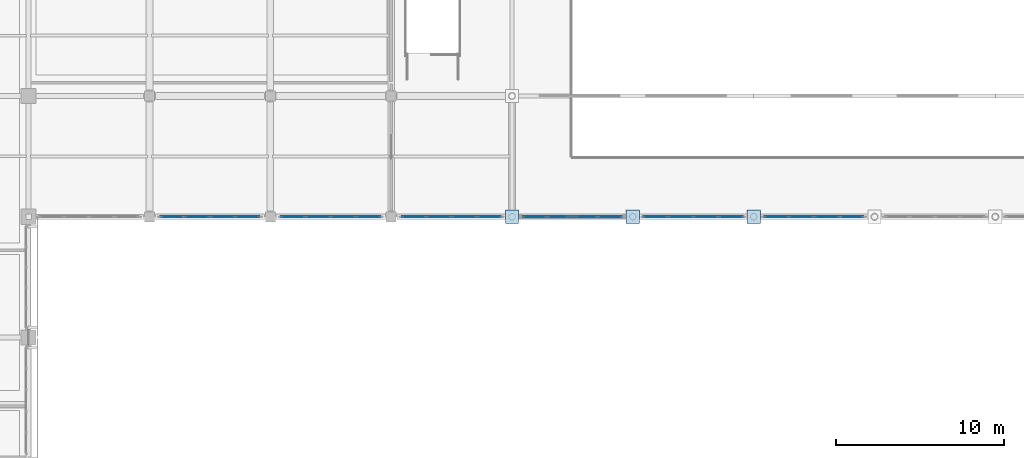
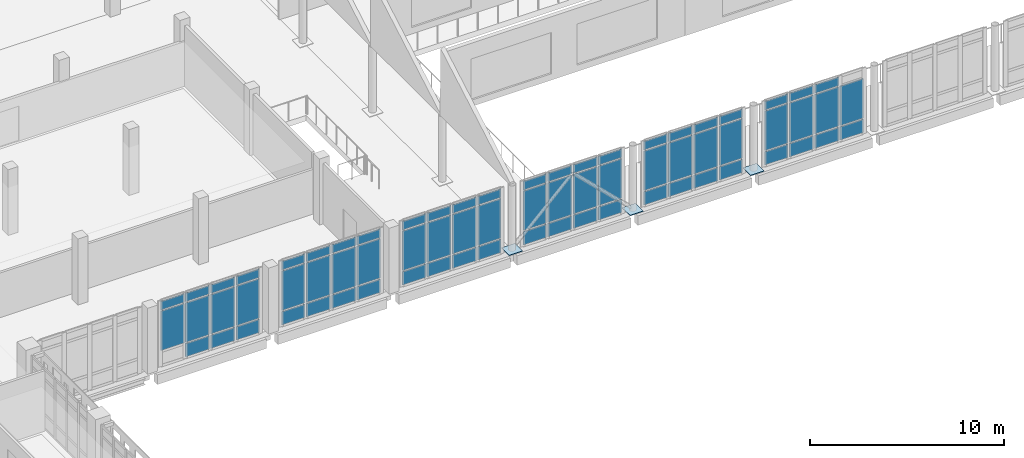
# One storey, part 29 of 62: 73 plates, 6 elements without a shape of their own.
"""IFC4 building model written with IfcOpenShell, lengths in metres."""

import ifcopenshell
import ifcopenshell.guid

model = None  # the IFC model being written
_history = None  # IfcOwnerHistory: only IFC2X3 demands one
_inside = {}  # id of a spatial element -> (the spatial element, [elements in it])
_under = {}  # id of a project, library or spatial element -> (it, [spatial elements below it])
_declared = {}  # id of a project -> (the project, [libraries it declares])
_typed = {}  # id of a type object -> (the type object, [elements of that type])
_made_of = {}  # id of a material, layer set ... -> (it, [elements and type objects made of it])


def new_model(schema):
    """Start an empty IFC model of exactly this schema.

    Asked for "IFC4X3", IfcOpenShell would pick the latest addendum, in which some entities
    have other attributes; the version numbers below select the first issue.
    IFC2X3 requires an IfcOwnerHistory on every rooted entity: one is made here for all.
    """
    global model, _history
    if schema == "IFC4X3":
        model = ifcopenshell.file(schema_version=(4, 3, 0, 0))
    else:
        model = ifcopenshell.file(schema=schema)
    _inside.clear()
    _under.clear()
    _declared.clear()
    _typed.clear()
    _made_of.clear()
    _history = None
    if model.schema == "IFC2X3":
        org = make("IfcOrganization", Name="unknown")
        user = make(
            "IfcPersonAndOrganization",
            ThePerson=make("IfcPerson", FamilyName="unknown"),
            TheOrganization=org,
        )
        app = make(
            "IfcApplication",
            ApplicationDeveloper=org,
            Version="unknown",
            ApplicationFullName="unknown",
            ApplicationIdentifier="unknown",
        )
        _history = make(
            "IfcOwnerHistory",
            OwningUser=user,
            OwningApplication=app,
            ChangeAction="ADDED",
            CreationDate=0,
        )
    return model


def make(cls, **values):
    """One entity of the class cls with the attributes given. An attribute that is None is left unset."""
    return model.create_entity(
        cls, **{name: value for name, value in values.items() if value is not None}
    )


def rooted(cls, **values):
    """An entity with a GlobalId (a new one), such as an element, a storey or a relation."""
    return make(cls, GlobalId=ifcopenshell.guid.new(), OwnerHistory=_history, **values)


def si_unit(unit_type, name, prefix=None):
    """IfcSIUnit, for example si_unit("LENGTHUNIT", "METRE", prefix="MILLI")."""
    return make("IfcSIUnit", UnitType=unit_type, Prefix=prefix, Name=name)


def assignment(units):
    """IfcUnitAssignment: the units of a project."""
    return None if units is None else make("IfcUnitAssignment", Units=units)


def point(xyz):
    """IfcCartesianPoint."""
    return None if xyz is None else make("IfcCartesianPoint", Coordinates=xyz)


def direction(xyz):
    """IfcDirection."""
    return None if xyz is None else make("IfcDirection", DirectionRatios=xyz)


def frame(location, z_axis=None, x_axis=None):
    """IfcAxis2Placement3D, a coordinate frame: its origin and axes. An axis left out is left unset."""
    return make(
        "IfcAxis2Placement3D",
        Location=point(location),
        Axis=direction(z_axis),
        RefDirection=direction(x_axis),
    )


def frame_2d(location, x_axis=None):
    """IfcAxis2Placement2D, a coordinate frame in the plane: its origin and x axis."""
    return make(
        "IfcAxis2Placement2D", Location=point(location), RefDirection=direction(x_axis)
    )


def origin():
    """The frame at (0, 0, 0) with its axes left unset."""
    return frame((0.0, 0.0, 0.0))


def origin_2d():
    """The frame at (0, 0) in the plane with its x axis left unset."""
    return frame_2d((0.0, 0.0))


def place(relative_to, where):
    """IfcLocalPlacement: puts the frame where relative to a parent placement (None: the world)."""
    return make(
        "IfcLocalPlacement", PlacementRelTo=relative_to, RelativePlacement=where
    )


def context(
    kind, dimensions, precision=None, world=None, true_north=None, identifier=None
):
    """IfcGeometricRepresentationContext, for example the 3D "Model" context."""
    return make(
        "IfcGeometricRepresentationContext",
        ContextIdentifier=identifier,
        ContextType=kind,
        CoordinateSpaceDimension=dimensions,
        Precision=precision,
        WorldCoordinateSystem=world,
        TrueNorth=true_north,
    )


def subcontext(parent, identifier, kind, view, scale=None):
    """IfcGeometricRepresentationSubContext, for example "Body" below "Model"."""
    return make(
        "IfcGeometricRepresentationSubContext",
        ContextIdentifier=identifier,
        ContextType=kind,
        ParentContext=parent,
        TargetScale=scale,
        TargetView=view,
    )


def project(units=None, contexts=None):
    """IfcProject with its units and contexts."""
    return rooted(
        "IfcProject",
        Name="project",
        RepresentationContexts=contexts,
        UnitsInContext=assignment(units),
    )


def spatial(cls, under=None, at=None, **own):
    """A site, building, storey or space (cls), placed at a placement, below another one or the project."""
    s = rooted(cls, ObjectPlacement=at, **own)
    if under is not None:
        _under.setdefault(under.id(), (under, []))[1].append(s)
    return s


def profile(cls, at=None, kind="AREA", **sizes):
    """A parametric profile (cls). Its sizes go by their IFC names, for example OverallWidth=200.0."""
    return make(cls, ProfileType=kind, Position=at, **sizes)


def rectangle(**sizes):
    """IfcRectangleProfileDef."""
    return profile("IfcRectangleProfileDef", **sizes)


def extrude(swept, where, along, depth):
    """IfcExtrudedAreaSolid: the profile swept, set in the frame where, extruded along a direction by depth."""
    return make(
        "IfcExtrudedAreaSolid",
        SweptArea=swept,
        Position=where,
        ExtrudedDirection=direction(along),
        Depth=depth,
    )


def shape(context_of_items, identifier, shape_type, items):
    """IfcShapeRepresentation: the items that make up one representation, for example the "Body"."""
    return make(
        "IfcShapeRepresentation",
        ContextOfItems=context_of_items,
        RepresentationIdentifier=identifier,
        RepresentationType=shape_type,
        Items=items,
    )


def material(Name=None, Category=None):
    """IfcMaterial."""
    return make("IfcMaterial", Name=Name, Category=Category)


def layer(
    of_material, thickness, ventilated=None, Name=None, Category=None, Priority=None
):
    """IfcMaterialLayer: one layer of a wall or slab, of a material (None: an air gap)."""
    return make(
        "IfcMaterialLayer",
        Material=of_material,
        LayerThickness=thickness,
        IsVentilated=ventilated,
        Name=Name,
        Category=Category,
        Priority=Priority,
    )


def layer_set(layers, Name=None):
    """IfcMaterialLayerSet."""
    return make("IfcMaterialLayerSet", MaterialLayers=layers, LayerSetName=Name)


def made_of(thing, what):
    """Note that an element or type object is made of a material, layer set ...; save() writes the relation."""
    if what is not None:
        _made_of.setdefault(what.id(), (what, []))[1].append(thing)
    return thing


def type_object(cls, material=None, **own):
    """A type object (cls), such as IfcWallType, which elements share."""
    return made_of(rooted(cls, **own), material)


def element(
    cls,
    number,
    at=None,
    inside=None,
    cuts=None,
    type_object=None,
    material=None,
    context=None,
    identifier="Body",
    shape_type=None,
    held_by="IfcProductDefinitionShape",
    body=None,
    shapes=None,
    **own,
):
    """One element of the class cls, such as IfcWall. Its Tag is "e" and its number.

    at: its placement. inside: the storey or other place that contains it. cuts: it is an
    opening in that element (IfcRelVoidsElement). A single representation is given by context,
    identifier, shape_type and body (its items); several are given by shapes. held_by: the class
    of the entity that holds the representations. save() writes the other relations.
    """
    e = rooted(cls, Tag="e%d" % number, ObjectPlacement=at, **own)
    if body is not None:
        shapes = [shape(context, identifier, shape_type, body)]
    if shapes is not None:
        e.Representation = make(held_by, Representations=shapes)
    if inside is not None:
        _inside.setdefault(inside.id(), (inside, []))[1].append(e)
    if cuts is not None:
        rooted(
            "IfcRelVoidsElement", RelatingBuildingElement=cuts, RelatedOpeningElement=e
        )
    if type_object is not None:
        _typed.setdefault(type_object.id(), (type_object, []))[1].append(e)
    return made_of(e, material)


def aggregate(whole, parts):
    """IfcRelAggregates: a whole, such as a stair, and the parts it consists of."""
    return rooted("IfcRelAggregates", RelatingObject=whole, RelatedObjects=parts)


def save(model, path):
    """Write the relations noted so far, then the file.

    IfcRelAggregates (storeys below a building ...), IfcRelContainedInSpatialStructure (elements
    in a storey), IfcRelDefinesByType, IfcRelAssociatesMaterial and IfcRelDeclares: one each for
    every whole, place, type object, material and project.
    """
    for whole, parts in _under.values():
        aggregate(whole, parts)
    for where, things in _inside.values():
        rooted(
            "IfcRelContainedInSpatialStructure",
            RelatedElements=things,
            RelatingStructure=where,
        )
    for kind, things in _typed.values():
        rooted("IfcRelDefinesByType", RelatedObjects=things, RelatingType=kind)
    for what, things in _made_of.values():
        rooted("IfcRelAssociatesMaterial", RelatedObjects=things, RelatingMaterial=what)
    for by, libraries in _declared.values():
        rooted("IfcRelDeclares", RelatingContext=by, RelatedDefinitions=libraries)
    model.write(path)


model = new_model("IFC4")

# Units and contexts
model_context = context("Model", 3, precision=1e-05, world=origin(), true_north=direction((0.0, 1.0)))
body_context = subcontext(model_context, "Body", "Model", "MODEL_VIEW")
ifc_project = project(units=[si_unit("LENGTHUNIT", "METRE"), si_unit("AREAUNIT", "SQUARE_METRE"), si_unit("VOLUMEUNIT", "CUBIC_METRE"), si_unit("PLANEANGLEUNIT", "RADIAN"), si_unit("MASSUNIT", "GRAM", prefix="KILO")], contexts=[model_context])

# Site, building, storey
site_placement = place(None, origin())
site = spatial("IfcSite", under=ifc_project, at=site_placement, CompositionType="ELEMENT")
building_placement = place(site_placement, origin())
building = spatial("IfcBuilding", under=site, at=building_placement, Name="Valkovuoma Quantum and Materials Research Institute", CompositionType="ELEMENT")
storey_placement = place(building_placement, frame((0.0, 0.0, 13.1201171875)))
storey = spatial("IfcBuildingStorey", under=building, at=storey_placement, Name="L03", CompositionType="ELEMENT", Elevation=13.1201171875)

# Curtain wall, plates
ifc_material_1 = material(Name="Thermally broken aluminium and triple low-E glazing", Category="aluminium")
ifc_layer_1 = layer(ifc_material_1, 0.219970703125)
ifc_layer_set_1 = layer_set([ifc_layer_1], Name="Thermally broken aluminium and triple low-E glazing")
curtain_wall_type = type_object("IfcCurtainWallType", Name="CW-CW-02", PredefinedType="NOTDEFINED", material=ifc_layer_set_1)
curtain_wall_1_placement = place(storey_placement, origin())
curtain_wall_1 = element("IfcCurtainWall", 1, at=curtain_wall_1_placement, inside=storey, type_object=curtain_wall_type, Name="L03 curtain wall 200", PredefinedType="NOTDEFINED")
ifc_material_2 = material(Name="Triple low-E argon insulating glass", Category="glass")
ifc_layer_2 = layer(ifc_material_2, 0.048095703125)
ifc_layer_set_2 = layer_set([ifc_layer_2], Name="Triple low-E argon insulating glass")
plate_type_1 = type_object("IfcPlateType", Name="CWPanel-CWP-03", PredefinedType="CURTAIN_PANEL", material=ifc_layer_set_2)
plate_1_placement = place(storey_placement, frame((22.955078125, 36.0, 0.9873046875), z_axis=(0.0, 0.0, 1.0), x_axis=(1.0, 0.0, 0.0)))
plate_1 = element("IfcPlate", 2, at=plate_1_placement, type_object=plate_type_1, Name="CW-02 panel 1.2", PredefinedType="CURTAIN_PANEL", context=body_context, shape_type="SweptSolid", body=[
    extrude(rectangle(XDim=1.389892578125, YDim=0.048095703125, at=origin_2d()), origin(), (0.0, 0.0, 1.0), 2.485107421875),
])
plate_2_placement = place(storey_placement, frame((22.955078125, 36.0, 3.54736328125), z_axis=(0.0, 0.0, 1.0), x_axis=(1.0, 0.0, 0.0)))
plate_2 = element("IfcPlate", 3, at=plate_2_placement, type_object=plate_type_1, Name="CW-02 panel 1.3", PredefinedType="CURTAIN_PANEL", context=body_context, shape_type="SweptSolid", body=[
    extrude(rectangle(XDim=1.389892578125, YDim=0.048095703125, at=origin_2d()), origin(), (0.0, 0.0, 1.0), 0.53759765625),
])
plate_3_placement = place(storey_placement, frame((24.445068359375, 36.0, 0.074951171875), z_axis=(0.0, 0.0, 1.0), x_axis=(1.0, 0.0, 0.0)))
plate_3 = element("IfcPlate", 4, at=plate_3_placement, type_object=plate_type_1, Name="CW-02 panel 2.1", PredefinedType="CURTAIN_PANEL", context=body_context, shape_type="SweptSolid", body=[
    extrude(rectangle(XDim=1.429931640625, YDim=0.048095703125, at=origin_2d()), origin(), (0.0, 0.0, 1.0), 0.83740234375),
])
plate_4_placement = place(storey_placement, frame((24.445068359375, 36.0, 0.9873046875), z_axis=(0.0, 0.0, 1.0), x_axis=(1.0, 0.0, 0.0)))
plate_4 = element("IfcPlate", 5, at=plate_4_placement, type_object=plate_type_1, Name="CW-02 panel 2.2", PredefinedType="CURTAIN_PANEL", context=body_context, shape_type="SweptSolid", body=[
    extrude(rectangle(XDim=1.429931640625, YDim=0.048095703125, at=origin_2d()), origin(), (0.0, 0.0, 1.0), 2.485107421875),
])
plate_5_placement = place(storey_placement, frame((24.445068359375, 36.0, 3.54736328125), z_axis=(0.0, 0.0, 1.0), x_axis=(1.0, 0.0, 0.0)))
plate_5 = element("IfcPlate", 6, at=plate_5_placement, type_object=plate_type_1, Name="CW-02 panel 2.3", PredefinedType="CURTAIN_PANEL", context=body_context, shape_type="SweptSolid", body=[
    extrude(rectangle(XDim=1.429931640625, YDim=0.048095703125, at=origin_2d()), origin(), (0.0, 0.0, 1.0), 0.53759765625),
])
plate_6_placement = place(storey_placement, frame((25.955078125, 36.0, 0.074951171875), z_axis=(0.0, 0.0, 1.0), x_axis=(1.0, 0.0, 0.0)))
plate_6 = element("IfcPlate", 7, at=plate_6_placement, type_object=plate_type_1, Name="CW-02 panel 3.1", PredefinedType="CURTAIN_PANEL", context=body_context, shape_type="SweptSolid", body=[
    extrude(rectangle(XDim=1.429931640625, YDim=0.048095703125, at=origin_2d()), origin(), (0.0, 0.0, 1.0), 0.83740234375),
])
plate_7_placement = place(storey_placement, frame((25.955078125, 36.0, 0.9873046875), z_axis=(0.0, 0.0, 1.0), x_axis=(1.0, 0.0, 0.0)))
plate_7 = element("IfcPlate", 8, at=plate_7_placement, type_object=plate_type_1, Name="CW-02 panel 3.2", PredefinedType="CURTAIN_PANEL", context=body_context, shape_type="SweptSolid", body=[
    extrude(rectangle(XDim=1.429931640625, YDim=0.048095703125, at=origin_2d()), origin(), (0.0, 0.0, 1.0), 2.485107421875),
])
plate_8_placement = place(storey_placement, frame((25.955078125, 36.0, 3.54736328125), z_axis=(0.0, 0.0, 1.0), x_axis=(1.0, 0.0, 0.0)))
plate_8 = element("IfcPlate", 9, at=plate_8_placement, type_object=plate_type_1, Name="CW-02 panel 3.3", PredefinedType="CURTAIN_PANEL", context=body_context, shape_type="SweptSolid", body=[
    extrude(rectangle(XDim=1.429931640625, YDim=0.048095703125, at=origin_2d()), origin(), (0.0, 0.0, 1.0), 0.53759765625),
])
plate_9_placement = place(storey_placement, frame((27.445068359375, 36.0, 0.074951171875), z_axis=(0.0, 0.0, 1.0), x_axis=(1.0, 0.0, 0.0)))
plate_9 = element("IfcPlate", 10, at=plate_9_placement, type_object=plate_type_1, Name="CW-02 panel 4.1", PredefinedType="CURTAIN_PANEL", context=body_context, shape_type="SweptSolid", body=[
    extrude(rectangle(XDim=1.389892578125, YDim=0.048095703125, at=origin_2d()), origin(), (0.0, 0.0, 1.0), 0.83740234375),
])
plate_10_placement = place(storey_placement, frame((27.445068359375, 36.0, 0.9873046875), z_axis=(0.0, 0.0, 1.0), x_axis=(1.0, 0.0, 0.0)))
plate_10 = element("IfcPlate", 11, at=plate_10_placement, type_object=plate_type_1, Name="CW-02 panel 4.2", PredefinedType="CURTAIN_PANEL", context=body_context, shape_type="SweptSolid", body=[
    extrude(rectangle(XDim=1.389892578125, YDim=0.048095703125, at=origin_2d()), origin(), (0.0, 0.0, 1.0), 2.485107421875),
])
plate_11_placement = place(storey_placement, frame((27.445068359375, 36.0, 3.54736328125), z_axis=(0.0, 0.0, 1.0), x_axis=(1.0, 0.0, 0.0)))
plate_11 = element("IfcPlate", 12, at=plate_11_placement, type_object=plate_type_1, Name="CW-02 panel 4.3", PredefinedType="CURTAIN_PANEL", context=body_context, shape_type="SweptSolid", body=[
    extrude(rectangle(XDim=1.389892578125, YDim=0.048095703125, at=origin_2d()), origin(), (0.0, 0.0, 1.0), 0.53759765625),
])
aggregate(curtain_wall_1, [plate_1, plate_2, plate_3, plate_4, plate_5, plate_6, plate_7, plate_8, plate_9, plate_10, plate_11])

curtain_wall_2_placement = place(storey_placement, origin())
curtain_wall_2 = element("IfcCurtainWall", 13, at=curtain_wall_2_placement, inside=storey, type_object=curtain_wall_type, Name="L03 curtain wall 201", PredefinedType="NOTDEFINED")
plate_12_placement = place(storey_placement, frame((30.155029296875, 36.0, 0.074951171875), z_axis=(0.0, 0.0, 1.0), x_axis=(1.0, 0.0, 0.0)))
plate_12 = element("IfcPlate", 14, at=plate_12_placement, type_object=plate_type_1, Name="CW-02 panel 1.1", PredefinedType="CURTAIN_PANEL", context=body_context, shape_type="SweptSolid", body=[
    extrude(rectangle(XDim=1.389892578125, YDim=0.048095703125, at=origin_2d()), origin(), (0.0, 0.0, 1.0), 0.83740234375),
])
plate_13_placement = place(storey_placement, frame((30.155029296875, 36.0, 0.9873046875), z_axis=(0.0, 0.0, 1.0), x_axis=(1.0, 0.0, 0.0)))
plate_13 = element("IfcPlate", 15, at=plate_13_placement, type_object=plate_type_1, Name="CW-02 panel 1.2", PredefinedType="CURTAIN_PANEL", context=body_context, shape_type="SweptSolid", body=[
    extrude(rectangle(XDim=1.389892578125, YDim=0.048095703125, at=origin_2d()), origin(), (0.0, 0.0, 1.0), 2.485107421875),
])
plate_14_placement = place(storey_placement, frame((30.155029296875, 36.0, 3.54736328125), z_axis=(0.0, 0.0, 1.0), x_axis=(1.0, 0.0, 0.0)))
plate_14 = element("IfcPlate", 16, at=plate_14_placement, type_object=plate_type_1, Name="CW-02 panel 1.3", PredefinedType="CURTAIN_PANEL", context=body_context, shape_type="SweptSolid", body=[
    extrude(rectangle(XDim=1.389892578125, YDim=0.048095703125, at=origin_2d()), origin(), (0.0, 0.0, 1.0), 0.53759765625),
])
plate_15_placement = place(storey_placement, frame((31.64501953125, 36.0, 0.074951171875), z_axis=(0.0, 0.0, 1.0), x_axis=(1.0, 0.0, 0.0)))
plate_15 = element("IfcPlate", 17, at=plate_15_placement, type_object=plate_type_1, Name="CW-02 panel 2.1", PredefinedType="CURTAIN_PANEL", context=body_context, shape_type="SweptSolid", body=[
    extrude(rectangle(XDim=1.429931640625, YDim=0.048095703125, at=origin_2d()), origin(), (0.0, 0.0, 1.0), 0.83740234375),
])
plate_16_placement = place(storey_placement, frame((31.64501953125, 36.0, 0.9873046875), z_axis=(0.0, 0.0, 1.0), x_axis=(1.0, 0.0, 0.0)))
plate_16 = element("IfcPlate", 18, at=plate_16_placement, type_object=plate_type_1, Name="CW-02 panel 2.2", PredefinedType="CURTAIN_PANEL", context=body_context, shape_type="SweptSolid", body=[
    extrude(rectangle(XDim=1.429931640625, YDim=0.048095703125, at=origin_2d()), origin(), (0.0, 0.0, 1.0), 2.485107421875),
])
plate_17_placement = place(storey_placement, frame((31.64501953125, 36.0, 3.54736328125), z_axis=(0.0, 0.0, 1.0), x_axis=(1.0, 0.0, 0.0)))
plate_17 = element("IfcPlate", 19, at=plate_17_placement, type_object=plate_type_1, Name="CW-02 panel 2.3", PredefinedType="CURTAIN_PANEL", context=body_context, shape_type="SweptSolid", body=[
    extrude(rectangle(XDim=1.429931640625, YDim=0.048095703125, at=origin_2d()), origin(), (0.0, 0.0, 1.0), 0.53759765625),
])
plate_18_placement = place(storey_placement, frame((33.155029296875, 36.0, 0.074951171875), z_axis=(0.0, 0.0, 1.0), x_axis=(1.0, 0.0, 0.0)))
plate_18 = element("IfcPlate", 20, at=plate_18_placement, type_object=plate_type_1, Name="CW-02 panel 3.1", PredefinedType="CURTAIN_PANEL", context=body_context, shape_type="SweptSolid", body=[
    extrude(rectangle(XDim=1.429931640625, YDim=0.048095703125, at=origin_2d()), origin(), (0.0, 0.0, 1.0), 0.83740234375),
])
plate_19_placement = place(storey_placement, frame((33.155029296875, 36.0, 0.9873046875), z_axis=(0.0, 0.0, 1.0), x_axis=(1.0, 0.0, 0.0)))
plate_19 = element("IfcPlate", 21, at=plate_19_placement, type_object=plate_type_1, Name="CW-02 panel 3.2", PredefinedType="CURTAIN_PANEL", context=body_context, shape_type="SweptSolid", body=[
    extrude(rectangle(XDim=1.429931640625, YDim=0.048095703125, at=origin_2d()), origin(), (0.0, 0.0, 1.0), 2.485107421875),
])
plate_20_placement = place(storey_placement, frame((33.155029296875, 36.0, 3.54736328125), z_axis=(0.0, 0.0, 1.0), x_axis=(1.0, 0.0, 0.0)))
plate_20 = element("IfcPlate", 22, at=plate_20_placement, type_object=plate_type_1, Name="CW-02 panel 3.3", PredefinedType="CURTAIN_PANEL", context=body_context, shape_type="SweptSolid", body=[
    extrude(rectangle(XDim=1.429931640625, YDim=0.048095703125, at=origin_2d()), origin(), (0.0, 0.0, 1.0), 0.53759765625),
])
plate_21_placement = place(storey_placement, frame((34.64501953125, 36.0, 0.074951171875), z_axis=(0.0, 0.0, 1.0), x_axis=(1.0, 0.0, 0.0)))
plate_21 = element("IfcPlate", 23, at=plate_21_placement, type_object=plate_type_1, Name="CW-02 panel 4.1", PredefinedType="CURTAIN_PANEL", context=body_context, shape_type="SweptSolid", body=[
    extrude(rectangle(XDim=1.389892578125, YDim=0.048095703125, at=origin_2d()), origin(), (0.0, 0.0, 1.0), 0.83740234375),
])
plate_22_placement = place(storey_placement, frame((34.64501953125, 36.0, 0.9873046875), z_axis=(0.0, 0.0, 1.0), x_axis=(1.0, 0.0, 0.0)))
plate_22 = element("IfcPlate", 24, at=plate_22_placement, type_object=plate_type_1, Name="CW-02 panel 4.2", PredefinedType="CURTAIN_PANEL", context=body_context, shape_type="SweptSolid", body=[
    extrude(rectangle(XDim=1.389892578125, YDim=0.048095703125, at=origin_2d()), origin(), (0.0, 0.0, 1.0), 2.485107421875),
])
plate_23_placement = place(storey_placement, frame((34.64501953125, 36.0, 3.54736328125), z_axis=(0.0, 0.0, 1.0), x_axis=(1.0, 0.0, 0.0)))
plate_23 = element("IfcPlate", 25, at=plate_23_placement, type_object=plate_type_1, Name="CW-02 panel 4.3", PredefinedType="CURTAIN_PANEL", context=body_context, shape_type="SweptSolid", body=[
    extrude(rectangle(XDim=1.389892578125, YDim=0.048095703125, at=origin_2d()), origin(), (0.0, 0.0, 1.0), 0.53759765625),
])
aggregate(curtain_wall_2, [plate_12, plate_13, plate_14, plate_15, plate_16, plate_17, plate_18, plate_19, plate_20, plate_21, plate_22, plate_23])

curtain_wall_3_placement = place(storey_placement, origin())
curtain_wall_3 = element("IfcCurtainWall", 26, at=curtain_wall_3_placement, inside=storey, type_object=curtain_wall_type, Name="L03 curtain wall 202", PredefinedType="NOTDEFINED")
plate_24_placement = place(storey_placement, frame((37.35498046875, 36.0, 0.074951171875), z_axis=(0.0, 0.0, 1.0), x_axis=(1.0, 0.0, 0.0)))
plate_24 = element("IfcPlate", 27, at=plate_24_placement, type_object=plate_type_1, Name="CW-02 panel 1.1", PredefinedType="CURTAIN_PANEL", context=body_context, shape_type="SweptSolid", body=[
    extrude(rectangle(XDim=1.389892578125, YDim=0.048095703125, at=origin_2d()), origin(), (0.0, 0.0, 1.0), 0.83740234375),
])
plate_25_placement = place(storey_placement, frame((37.35498046875, 36.0, 0.9873046875), z_axis=(0.0, 0.0, 1.0), x_axis=(1.0, 0.0, 0.0)))
plate_25 = element("IfcPlate", 28, at=plate_25_placement, type_object=plate_type_1, Name="CW-02 panel 1.2", PredefinedType="CURTAIN_PANEL", context=body_context, shape_type="SweptSolid", body=[
    extrude(rectangle(XDim=1.389892578125, YDim=0.048095703125, at=origin_2d()), origin(), (0.0, 0.0, 1.0), 2.485107421875),
])
plate_26_placement = place(storey_placement, frame((37.35498046875, 36.0, 3.54736328125), z_axis=(0.0, 0.0, 1.0), x_axis=(1.0, 0.0, 0.0)))
plate_26 = element("IfcPlate", 29, at=plate_26_placement, type_object=plate_type_1, Name="CW-02 panel 1.3", PredefinedType="CURTAIN_PANEL", context=body_context, shape_type="SweptSolid", body=[
    extrude(rectangle(XDim=1.389892578125, YDim=0.048095703125, at=origin_2d()), origin(), (0.0, 0.0, 1.0), 0.53759765625),
])
plate_27_placement = place(storey_placement, frame((38.844970703125, 36.0, 0.074951171875), z_axis=(0.0, 0.0, 1.0), x_axis=(1.0, 0.0, 0.0)))
plate_27 = element("IfcPlate", 30, at=plate_27_placement, type_object=plate_type_1, Name="CW-02 panel 2.1", PredefinedType="CURTAIN_PANEL", context=body_context, shape_type="SweptSolid", body=[
    extrude(rectangle(XDim=1.429931640625, YDim=0.048095703125, at=origin_2d()), origin(), (0.0, 0.0, 1.0), 0.83740234375),
])
plate_28_placement = place(storey_placement, frame((38.844970703125, 36.0, 0.9873046875), z_axis=(0.0, 0.0, 1.0), x_axis=(1.0, 0.0, 0.0)))
plate_28 = element("IfcPlate", 31, at=plate_28_placement, type_object=plate_type_1, Name="CW-02 panel 2.2", PredefinedType="CURTAIN_PANEL", context=body_context, shape_type="SweptSolid", body=[
    extrude(rectangle(XDim=1.429931640625, YDim=0.048095703125, at=origin_2d()), origin(), (0.0, 0.0, 1.0), 2.485107421875),
])
plate_29_placement = place(storey_placement, frame((38.844970703125, 36.0, 3.54736328125), z_axis=(0.0, 0.0, 1.0), x_axis=(1.0, 0.0, 0.0)))
plate_29 = element("IfcPlate", 32, at=plate_29_placement, type_object=plate_type_1, Name="CW-02 panel 2.3", PredefinedType="CURTAIN_PANEL", context=body_context, shape_type="SweptSolid", body=[
    extrude(rectangle(XDim=1.429931640625, YDim=0.048095703125, at=origin_2d()), origin(), (0.0, 0.0, 1.0), 0.53759765625),
])
plate_30_placement = place(storey_placement, frame((40.35498046875, 36.0, 0.074951171875), z_axis=(0.0, 0.0, 1.0), x_axis=(1.0, 0.0, 0.0)))
plate_30 = element("IfcPlate", 33, at=plate_30_placement, type_object=plate_type_1, Name="CW-02 panel 3.1", PredefinedType="CURTAIN_PANEL", context=body_context, shape_type="SweptSolid", body=[
    extrude(rectangle(XDim=1.429931640625, YDim=0.048095703125, at=origin_2d()), origin(), (0.0, 0.0, 1.0), 0.83740234375),
])
plate_31_placement = place(storey_placement, frame((40.35498046875, 36.0, 0.9873046875), z_axis=(0.0, 0.0, 1.0), x_axis=(1.0, 0.0, 0.0)))
plate_31 = element("IfcPlate", 34, at=plate_31_placement, type_object=plate_type_1, Name="CW-02 panel 3.2", PredefinedType="CURTAIN_PANEL", context=body_context, shape_type="SweptSolid", body=[
    extrude(rectangle(XDim=1.429931640625, YDim=0.048095703125, at=origin_2d()), origin(), (0.0, 0.0, 1.0), 2.485107421875),
])
plate_32_placement = place(storey_placement, frame((40.35498046875, 36.0, 3.54736328125), z_axis=(0.0, 0.0, 1.0), x_axis=(1.0, 0.0, 0.0)))
plate_32 = element("IfcPlate", 35, at=plate_32_placement, type_object=plate_type_1, Name="CW-02 panel 3.3", PredefinedType="CURTAIN_PANEL", context=body_context, shape_type="SweptSolid", body=[
    extrude(rectangle(XDim=1.429931640625, YDim=0.048095703125, at=origin_2d()), origin(), (0.0, 0.0, 1.0), 0.53759765625),
])
plate_33_placement = place(storey_placement, frame((41.844970703125, 36.0, 0.074951171875), z_axis=(0.0, 0.0, 1.0), x_axis=(1.0, 0.0, 0.0)))
plate_33 = element("IfcPlate", 36, at=plate_33_placement, type_object=plate_type_1, Name="CW-02 panel 4.1", PredefinedType="CURTAIN_PANEL", context=body_context, shape_type="SweptSolid", body=[
    extrude(rectangle(XDim=1.389892578125, YDim=0.048095703125, at=origin_2d()), origin(), (0.0, 0.0, 1.0), 0.83740234375),
])
plate_34_placement = place(storey_placement, frame((41.844970703125, 36.0, 0.9873046875), z_axis=(0.0, 0.0, 1.0), x_axis=(1.0, 0.0, 0.0)))
plate_34 = element("IfcPlate", 37, at=plate_34_placement, type_object=plate_type_1, Name="CW-02 panel 4.2", PredefinedType="CURTAIN_PANEL", context=body_context, shape_type="SweptSolid", body=[
    extrude(rectangle(XDim=1.389892578125, YDim=0.048095703125, at=origin_2d()), origin(), (0.0, 0.0, 1.0), 2.485107421875),
])
plate_35_placement = place(storey_placement, frame((41.844970703125, 36.0, 3.54736328125), z_axis=(0.0, 0.0, 1.0), x_axis=(1.0, 0.0, 0.0)))
plate_35 = element("IfcPlate", 38, at=plate_35_placement, type_object=plate_type_1, Name="CW-02 panel 4.3", PredefinedType="CURTAIN_PANEL", context=body_context, shape_type="SweptSolid", body=[
    extrude(rectangle(XDim=1.389892578125, YDim=0.048095703125, at=origin_2d()), origin(), (0.0, 0.0, 1.0), 0.53759765625),
])
aggregate(curtain_wall_3, [plate_24, plate_25, plate_26, plate_27, plate_28, plate_29, plate_30, plate_31, plate_32, plate_33, plate_34, plate_35])

curtain_wall_4_placement = place(storey_placement, origin())
curtain_wall_4 = element("IfcCurtainWall", 39, at=curtain_wall_4_placement, inside=storey, type_object=curtain_wall_type, Name="L03 curtain wall 203", PredefinedType="NOTDEFINED")
plate_36_placement = place(storey_placement, frame((44.554931640625, 36.0, 0.074951171875), z_axis=(0.0, 0.0, 1.0), x_axis=(1.0, 0.0, 0.0)))
plate_36 = element("IfcPlate", 40, at=plate_36_placement, type_object=plate_type_1, Name="CW-02 panel 1.1", PredefinedType="CURTAIN_PANEL", context=body_context, shape_type="SweptSolid", body=[
    extrude(rectangle(XDim=1.389892578125, YDim=0.048095703125, at=origin_2d()), origin(), (0.0, 0.0, 1.0), 0.83740234375),
])
plate_37_placement = place(storey_placement, frame((44.554931640625, 36.0, 0.9873046875), z_axis=(0.0, 0.0, 1.0), x_axis=(1.0, 0.0, 0.0)))
plate_37 = element("IfcPlate", 41, at=plate_37_placement, type_object=plate_type_1, Name="CW-02 panel 1.2", PredefinedType="CURTAIN_PANEL", context=body_context, shape_type="SweptSolid", body=[
    extrude(rectangle(XDim=1.389892578125, YDim=0.048095703125, at=origin_2d()), origin(), (0.0, 0.0, 1.0), 2.485107421875),
])
plate_38_placement = place(storey_placement, frame((44.554931640625, 36.0, 3.54736328125), z_axis=(0.0, 0.0, 1.0), x_axis=(1.0, 0.0, 0.0)))
plate_38 = element("IfcPlate", 42, at=plate_38_placement, type_object=plate_type_1, Name="CW-02 panel 1.3", PredefinedType="CURTAIN_PANEL", context=body_context, shape_type="SweptSolid", body=[
    extrude(rectangle(XDim=1.389892578125, YDim=0.048095703125, at=origin_2d()), origin(), (0.0, 0.0, 1.0), 0.53759765625),
])
plate_39_placement = place(storey_placement, frame((46.044921875, 36.0, 0.074951171875), z_axis=(0.0, 0.0, 1.0), x_axis=(1.0, 0.0, 0.0)))
plate_39 = element("IfcPlate", 43, at=plate_39_placement, type_object=plate_type_1, Name="CW-02 panel 2.1", PredefinedType="CURTAIN_PANEL", context=body_context, shape_type="SweptSolid", body=[
    extrude(rectangle(XDim=1.429931640625, YDim=0.048095703125, at=origin_2d()), origin(), (0.0, 0.0, 1.0), 0.83740234375),
])
plate_40_placement = place(storey_placement, frame((46.044921875, 36.0, 0.9873046875), z_axis=(0.0, 0.0, 1.0), x_axis=(1.0, 0.0, 0.0)))
plate_40 = element("IfcPlate", 44, at=plate_40_placement, type_object=plate_type_1, Name="CW-02 panel 2.2", PredefinedType="CURTAIN_PANEL", context=body_context, shape_type="SweptSolid", body=[
    extrude(rectangle(XDim=1.429931640625, YDim=0.048095703125, at=origin_2d()), origin(), (0.0, 0.0, 1.0), 2.485107421875),
])
plate_41_placement = place(storey_placement, frame((46.044921875, 36.0, 3.54736328125), z_axis=(0.0, 0.0, 1.0), x_axis=(1.0, 0.0, 0.0)))
plate_41 = element("IfcPlate", 45, at=plate_41_placement, type_object=plate_type_1, Name="CW-02 panel 2.3", PredefinedType="CURTAIN_PANEL", context=body_context, shape_type="SweptSolid", body=[
    extrude(rectangle(XDim=1.429931640625, YDim=0.048095703125, at=origin_2d()), origin(), (0.0, 0.0, 1.0), 0.53759765625),
])
plate_42_placement = place(storey_placement, frame((47.554931640625, 36.0, 0.074951171875), z_axis=(0.0, 0.0, 1.0), x_axis=(1.0, 0.0, 0.0)))
plate_42 = element("IfcPlate", 46, at=plate_42_placement, type_object=plate_type_1, Name="CW-02 panel 3.1", PredefinedType="CURTAIN_PANEL", context=body_context, shape_type="SweptSolid", body=[
    extrude(rectangle(XDim=1.429931640625, YDim=0.048095703125, at=origin_2d()), origin(), (0.0, 0.0, 1.0), 0.83740234375),
])
plate_43_placement = place(storey_placement, frame((47.554931640625, 36.0, 0.9873046875), z_axis=(0.0, 0.0, 1.0), x_axis=(1.0, 0.0, 0.0)))
plate_43 = element("IfcPlate", 47, at=plate_43_placement, type_object=plate_type_1, Name="CW-02 panel 3.2", PredefinedType="CURTAIN_PANEL", context=body_context, shape_type="SweptSolid", body=[
    extrude(rectangle(XDim=1.429931640625, YDim=0.048095703125, at=origin_2d()), origin(), (0.0, 0.0, 1.0), 2.485107421875),
])
plate_44_placement = place(storey_placement, frame((47.554931640625, 36.0, 3.54736328125), z_axis=(0.0, 0.0, 1.0), x_axis=(1.0, 0.0, 0.0)))
plate_44 = element("IfcPlate", 48, at=plate_44_placement, type_object=plate_type_1, Name="CW-02 panel 3.3", PredefinedType="CURTAIN_PANEL", context=body_context, shape_type="SweptSolid", body=[
    extrude(rectangle(XDim=1.429931640625, YDim=0.048095703125, at=origin_2d()), origin(), (0.0, 0.0, 1.0), 0.53759765625),
])
plate_45_placement = place(storey_placement, frame((49.044921875, 36.0, 0.074951171875), z_axis=(0.0, 0.0, 1.0), x_axis=(1.0, 0.0, 0.0)))
plate_45 = element("IfcPlate", 49, at=plate_45_placement, type_object=plate_type_1, Name="CW-02 panel 4.1", PredefinedType="CURTAIN_PANEL", context=body_context, shape_type="SweptSolid", body=[
    extrude(rectangle(XDim=1.389892578125, YDim=0.048095703125, at=origin_2d()), origin(), (0.0, 0.0, 1.0), 0.83740234375),
])
plate_46_placement = place(storey_placement, frame((49.044921875, 36.0, 0.9873046875), z_axis=(0.0, 0.0, 1.0), x_axis=(1.0, 0.0, 0.0)))
plate_46 = element("IfcPlate", 50, at=plate_46_placement, type_object=plate_type_1, Name="CW-02 panel 4.2", PredefinedType="CURTAIN_PANEL", context=body_context, shape_type="SweptSolid", body=[
    extrude(rectangle(XDim=1.389892578125, YDim=0.048095703125, at=origin_2d()), origin(), (0.0, 0.0, 1.0), 2.485107421875),
])
plate_47_placement = place(storey_placement, frame((49.044921875, 36.0, 3.54736328125), z_axis=(0.0, 0.0, 1.0), x_axis=(1.0, 0.0, 0.0)))
plate_47 = element("IfcPlate", 51, at=plate_47_placement, type_object=plate_type_1, Name="CW-02 panel 4.3", PredefinedType="CURTAIN_PANEL", context=body_context, shape_type="SweptSolid", body=[
    extrude(rectangle(XDim=1.389892578125, YDim=0.048095703125, at=origin_2d()), origin(), (0.0, 0.0, 1.0), 0.53759765625),
])
aggregate(curtain_wall_4, [plate_36, plate_37, plate_38, plate_39, plate_40, plate_41, plate_42, plate_43, plate_44, plate_45, plate_46, plate_47])

curtain_wall_5_placement = place(storey_placement, origin())
curtain_wall_5 = element("IfcCurtainWall", 52, at=curtain_wall_5_placement, inside=storey, type_object=curtain_wall_type, Name="L03 curtain wall 204", PredefinedType="NOTDEFINED")
plate_48_placement = place(storey_placement, frame((51.7548828125, 36.0, 0.074951171875), z_axis=(0.0, 0.0, 1.0), x_axis=(1.0, 0.0, 0.0)))
plate_48 = element("IfcPlate", 53, at=plate_48_placement, type_object=plate_type_1, Name="CW-02 panel 1.1", PredefinedType="CURTAIN_PANEL", context=body_context, shape_type="SweptSolid", body=[
    extrude(rectangle(XDim=1.389892578125, YDim=0.048095703125, at=origin_2d()), origin(), (0.0, 0.0, 1.0), 0.83740234375),
])
plate_49_placement = place(storey_placement, frame((51.7548828125, 36.0, 0.9873046875), z_axis=(0.0, 0.0, 1.0), x_axis=(1.0, 0.0, 0.0)))
plate_49 = element("IfcPlate", 54, at=plate_49_placement, type_object=plate_type_1, Name="CW-02 panel 1.2", PredefinedType="CURTAIN_PANEL", context=body_context, shape_type="SweptSolid", body=[
    extrude(rectangle(XDim=1.389892578125, YDim=0.048095703125, at=origin_2d()), origin(), (0.0, 0.0, 1.0), 2.485107421875),
])
plate_50_placement = place(storey_placement, frame((51.7548828125, 36.0, 3.54736328125), z_axis=(0.0, 0.0, 1.0), x_axis=(1.0, 0.0, 0.0)))
plate_50 = element("IfcPlate", 55, at=plate_50_placement, type_object=plate_type_1, Name="CW-02 panel 1.3", PredefinedType="CURTAIN_PANEL", context=body_context, shape_type="SweptSolid", body=[
    extrude(rectangle(XDim=1.389892578125, YDim=0.048095703125, at=origin_2d()), origin(), (0.0, 0.0, 1.0), 0.53759765625),
])
plate_51_placement = place(storey_placement, frame((53.2451171875, 36.0, 0.074951171875), z_axis=(0.0, 0.0, 1.0), x_axis=(1.0, 0.0, 0.0)))
plate_51 = element("IfcPlate", 56, at=plate_51_placement, type_object=plate_type_1, Name="CW-02 panel 2.1", PredefinedType="CURTAIN_PANEL", context=body_context, shape_type="SweptSolid", body=[
    extrude(rectangle(XDim=1.429931640625, YDim=0.048095703125, at=origin_2d()), origin(), (0.0, 0.0, 1.0), 0.83740234375),
])
plate_52_placement = place(storey_placement, frame((53.2451171875, 36.0, 0.9873046875), z_axis=(0.0, 0.0, 1.0), x_axis=(1.0, 0.0, 0.0)))
plate_52 = element("IfcPlate", 57, at=plate_52_placement, type_object=plate_type_1, Name="CW-02 panel 2.2", PredefinedType="CURTAIN_PANEL", context=body_context, shape_type="SweptSolid", body=[
    extrude(rectangle(XDim=1.429931640625, YDim=0.048095703125, at=origin_2d()), origin(), (0.0, 0.0, 1.0), 2.485107421875),
])
plate_53_placement = place(storey_placement, frame((53.2451171875, 36.0, 3.54736328125), z_axis=(0.0, 0.0, 1.0), x_axis=(1.0, 0.0, 0.0)))
plate_53 = element("IfcPlate", 58, at=plate_53_placement, type_object=plate_type_1, Name="CW-02 panel 2.3", PredefinedType="CURTAIN_PANEL", context=body_context, shape_type="SweptSolid", body=[
    extrude(rectangle(XDim=1.429931640625, YDim=0.048095703125, at=origin_2d()), origin(), (0.0, 0.0, 1.0), 0.53759765625),
])
plate_54_placement = place(storey_placement, frame((54.7548828125, 36.0, 0.074951171875), z_axis=(0.0, 0.0, 1.0), x_axis=(1.0, 0.0, 0.0)))
plate_54 = element("IfcPlate", 59, at=plate_54_placement, type_object=plate_type_1, Name="CW-02 panel 3.1", PredefinedType="CURTAIN_PANEL", context=body_context, shape_type="SweptSolid", body=[
    extrude(rectangle(XDim=1.429931640625, YDim=0.048095703125, at=origin_2d()), origin(), (0.0, 0.0, 1.0), 0.83740234375),
])
plate_55_placement = place(storey_placement, frame((54.7548828125, 36.0, 0.9873046875), z_axis=(0.0, 0.0, 1.0), x_axis=(1.0, 0.0, 0.0)))
plate_55 = element("IfcPlate", 60, at=plate_55_placement, type_object=plate_type_1, Name="CW-02 panel 3.2", PredefinedType="CURTAIN_PANEL", context=body_context, shape_type="SweptSolid", body=[
    extrude(rectangle(XDim=1.429931640625, YDim=0.048095703125, at=origin_2d()), origin(), (0.0, 0.0, 1.0), 2.485107421875),
])
plate_56_placement = place(storey_placement, frame((54.7548828125, 36.0, 3.54736328125), z_axis=(0.0, 0.0, 1.0), x_axis=(1.0, 0.0, 0.0)))
plate_56 = element("IfcPlate", 61, at=plate_56_placement, type_object=plate_type_1, Name="CW-02 panel 3.3", PredefinedType="CURTAIN_PANEL", context=body_context, shape_type="SweptSolid", body=[
    extrude(rectangle(XDim=1.429931640625, YDim=0.048095703125, at=origin_2d()), origin(), (0.0, 0.0, 1.0), 0.53759765625),
])
plate_57_placement = place(storey_placement, frame((56.2451171875, 36.0, 0.074951171875), z_axis=(0.0, 0.0, 1.0), x_axis=(1.0, 0.0, 0.0)))
plate_57 = element("IfcPlate", 62, at=plate_57_placement, type_object=plate_type_1, Name="CW-02 panel 4.1", PredefinedType="CURTAIN_PANEL", context=body_context, shape_type="SweptSolid", body=[
    extrude(rectangle(XDim=1.389892578125, YDim=0.048095703125, at=origin_2d()), origin(), (0.0, 0.0, 1.0), 0.83740234375),
])
plate_58_placement = place(storey_placement, frame((56.2451171875, 36.0, 0.9873046875), z_axis=(0.0, 0.0, 1.0), x_axis=(1.0, 0.0, 0.0)))
plate_58 = element("IfcPlate", 63, at=plate_58_placement, type_object=plate_type_1, Name="CW-02 panel 4.2", PredefinedType="CURTAIN_PANEL", context=body_context, shape_type="SweptSolid", body=[
    extrude(rectangle(XDim=1.389892578125, YDim=0.048095703125, at=origin_2d()), origin(), (0.0, 0.0, 1.0), 2.485107421875),
])
plate_59_placement = place(storey_placement, frame((56.2451171875, 36.0, 3.54736328125), z_axis=(0.0, 0.0, 1.0), x_axis=(1.0, 0.0, 0.0)))
plate_59 = element("IfcPlate", 64, at=plate_59_placement, type_object=plate_type_1, Name="CW-02 panel 4.3", PredefinedType="CURTAIN_PANEL", context=body_context, shape_type="SweptSolid", body=[
    extrude(rectangle(XDim=1.389892578125, YDim=0.048095703125, at=origin_2d()), origin(), (0.0, 0.0, 1.0), 0.53759765625),
])
aggregate(curtain_wall_5, [plate_48, plate_49, plate_50, plate_51, plate_52, plate_53, plate_54, plate_55, plate_56, plate_57, plate_58, plate_59])

curtain_wall_6_placement = place(storey_placement, origin())
curtain_wall_6 = element("IfcCurtainWall", 65, at=curtain_wall_6_placement, inside=storey, type_object=curtain_wall_type, Name="L03 curtain wall 205", PredefinedType="NOTDEFINED")
plate_60_placement = place(storey_placement, frame((58.955078125, 36.0, 0.074951171875), z_axis=(0.0, 0.0, 1.0), x_axis=(1.0, 0.0, 0.0)))
plate_60 = element("IfcPlate", 66, at=plate_60_placement, type_object=plate_type_1, Name="CW-02 panel 1.1", PredefinedType="CURTAIN_PANEL", context=body_context, shape_type="SweptSolid", body=[
    extrude(rectangle(XDim=1.389892578125, YDim=0.048095703125, at=origin_2d()), origin(), (0.0, 0.0, 1.0), 0.83740234375),
])
plate_61_placement = place(storey_placement, frame((58.955078125, 36.0, 0.9873046875), z_axis=(0.0, 0.0, 1.0), x_axis=(1.0, 0.0, 0.0)))
plate_61 = element("IfcPlate", 67, at=plate_61_placement, type_object=plate_type_1, Name="CW-02 panel 1.2", PredefinedType="CURTAIN_PANEL", context=body_context, shape_type="SweptSolid", body=[
    extrude(rectangle(XDim=1.389892578125, YDim=0.048095703125, at=origin_2d()), origin(), (0.0, 0.0, 1.0), 2.485107421875),
])
plate_62_placement = place(storey_placement, frame((58.955078125, 36.0, 3.54736328125), z_axis=(0.0, 0.0, 1.0), x_axis=(1.0, 0.0, 0.0)))
plate_62 = element("IfcPlate", 68, at=plate_62_placement, type_object=plate_type_1, Name="CW-02 panel 1.3", PredefinedType="CURTAIN_PANEL", context=body_context, shape_type="SweptSolid", body=[
    extrude(rectangle(XDim=1.389892578125, YDim=0.048095703125, at=origin_2d()), origin(), (0.0, 0.0, 1.0), 0.53759765625),
])
plate_63_placement = place(storey_placement, frame((60.445068359375, 36.0, 0.074951171875), z_axis=(0.0, 0.0, 1.0), x_axis=(1.0, 0.0, 0.0)))
plate_63 = element("IfcPlate", 69, at=plate_63_placement, type_object=plate_type_1, Name="CW-02 panel 2.1", PredefinedType="CURTAIN_PANEL", context=body_context, shape_type="SweptSolid", body=[
    extrude(rectangle(XDim=1.429931640625, YDim=0.048095703125, at=origin_2d()), origin(), (0.0, 0.0, 1.0), 0.83740234375),
])
plate_64_placement = place(storey_placement, frame((60.445068359375, 36.0, 0.9873046875), z_axis=(0.0, 0.0, 1.0), x_axis=(1.0, 0.0, 0.0)))
plate_64 = element("IfcPlate", 70, at=plate_64_placement, type_object=plate_type_1, Name="CW-02 panel 2.2", PredefinedType="CURTAIN_PANEL", context=body_context, shape_type="SweptSolid", body=[
    extrude(rectangle(XDim=1.429931640625, YDim=0.048095703125, at=origin_2d()), origin(), (0.0, 0.0, 1.0), 2.485107421875),
])
plate_65_placement = place(storey_placement, frame((60.445068359375, 36.0, 3.54736328125), z_axis=(0.0, 0.0, 1.0), x_axis=(1.0, 0.0, 0.0)))
plate_65 = element("IfcPlate", 71, at=plate_65_placement, type_object=plate_type_1, Name="CW-02 panel 2.3", PredefinedType="CURTAIN_PANEL", context=body_context, shape_type="SweptSolid", body=[
    extrude(rectangle(XDim=1.429931640625, YDim=0.048095703125, at=origin_2d()), origin(), (0.0, 0.0, 1.0), 0.53759765625),
])
plate_66_placement = place(storey_placement, frame((61.955078125, 36.0, 0.074951171875), z_axis=(0.0, 0.0, 1.0), x_axis=(1.0, 0.0, 0.0)))
plate_66 = element("IfcPlate", 72, at=plate_66_placement, type_object=plate_type_1, Name="CW-02 panel 3.1", PredefinedType="CURTAIN_PANEL", context=body_context, shape_type="SweptSolid", body=[
    extrude(rectangle(XDim=1.429931640625, YDim=0.048095703125, at=origin_2d()), origin(), (0.0, 0.0, 1.0), 0.83740234375),
])
plate_67_placement = place(storey_placement, frame((61.955078125, 36.0, 0.9873046875), z_axis=(0.0, 0.0, 1.0), x_axis=(1.0, 0.0, 0.0)))
plate_67 = element("IfcPlate", 73, at=plate_67_placement, type_object=plate_type_1, Name="CW-02 panel 3.2", PredefinedType="CURTAIN_PANEL", context=body_context, shape_type="SweptSolid", body=[
    extrude(rectangle(XDim=1.429931640625, YDim=0.048095703125, at=origin_2d()), origin(), (0.0, 0.0, 1.0), 2.485107421875),
])
plate_68_placement = place(storey_placement, frame((61.955078125, 36.0, 3.54736328125), z_axis=(0.0, 0.0, 1.0), x_axis=(1.0, 0.0, 0.0)))
plate_68 = element("IfcPlate", 74, at=plate_68_placement, type_object=plate_type_1, Name="CW-02 panel 3.3", PredefinedType="CURTAIN_PANEL", context=body_context, shape_type="SweptSolid", body=[
    extrude(rectangle(XDim=1.429931640625, YDim=0.048095703125, at=origin_2d()), origin(), (0.0, 0.0, 1.0), 0.53759765625),
])
plate_69_placement = place(storey_placement, frame((63.445068359375, 36.0, 0.074951171875), z_axis=(0.0, 0.0, 1.0), x_axis=(1.0, 0.0, 0.0)))
plate_69 = element("IfcPlate", 75, at=plate_69_placement, type_object=plate_type_1, Name="CW-02 panel 4.1", PredefinedType="CURTAIN_PANEL", context=body_context, shape_type="SweptSolid", body=[
    extrude(rectangle(XDim=1.389892578125, YDim=0.048095703125, at=origin_2d()), origin(), (0.0, 0.0, 1.0), 0.83740234375),
])
plate_70_placement = place(storey_placement, frame((63.445068359375, 36.0, 0.9873046875), z_axis=(0.0, 0.0, 1.0), x_axis=(1.0, 0.0, 0.0)))
plate_70 = element("IfcPlate", 76, at=plate_70_placement, type_object=plate_type_1, Name="CW-02 panel 4.2", PredefinedType="CURTAIN_PANEL", context=body_context, shape_type="SweptSolid", body=[
    extrude(rectangle(XDim=1.389892578125, YDim=0.048095703125, at=origin_2d()), origin(), (0.0, 0.0, 1.0), 2.485107421875),
])
aggregate(curtain_wall_6, [plate_60, plate_61, plate_62, plate_63, plate_64, plate_65, plate_66, plate_67, plate_68, plate_69, plate_70])

# Plates
ifc_material_3 = material(Name="Steel S355J2", Category="steel")
plate_type_2 = type_object("IfcPlateType", Name="Plate-PL-BAS2", PredefinedType="USERDEFINED", material=ifc_material_3)
for number, where, z_axis, x_axis, name in (
    (77, (43.199951171875, 36.0, 0.0), (0.0, 0.0, 1.0), (1.0, 0.0, 0.0), "L03 base plate 07F"),
    (78, (50.39990234375, 36.0, 0.0), (0.0, 0.0, 1.0), (1.0, 0.0, 0.0), "L03 base plate 08F"),
    (79, (57.60009765625, 36.0, 0.0), (0.0, 0.0, 1.0), (1.0, 0.0, 0.0), "L03 base plate 09F"),
):
    element("IfcPlate", number, at=place(storey_placement, frame(where, z_axis=z_axis, x_axis=x_axis)), inside=storey, type_object=plate_type_2, Name=name, ObjectType="BASE_PLATE", PredefinedType="USERDEFINED", context=body_context, shape_type="SweptSolid", body=[
        extrude(rectangle(XDim=0.800048828125, YDim=0.800048828125, at=origin_2d()), origin(), (0.0, 0.0, 1.0), 0.030029296875),
    ])

save(model, "model.ifc")
